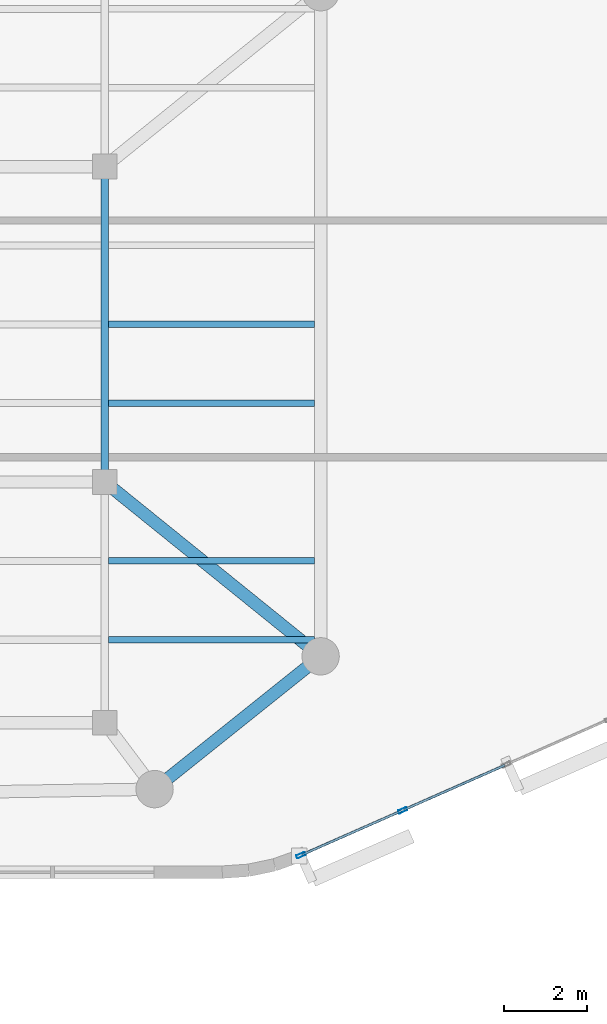
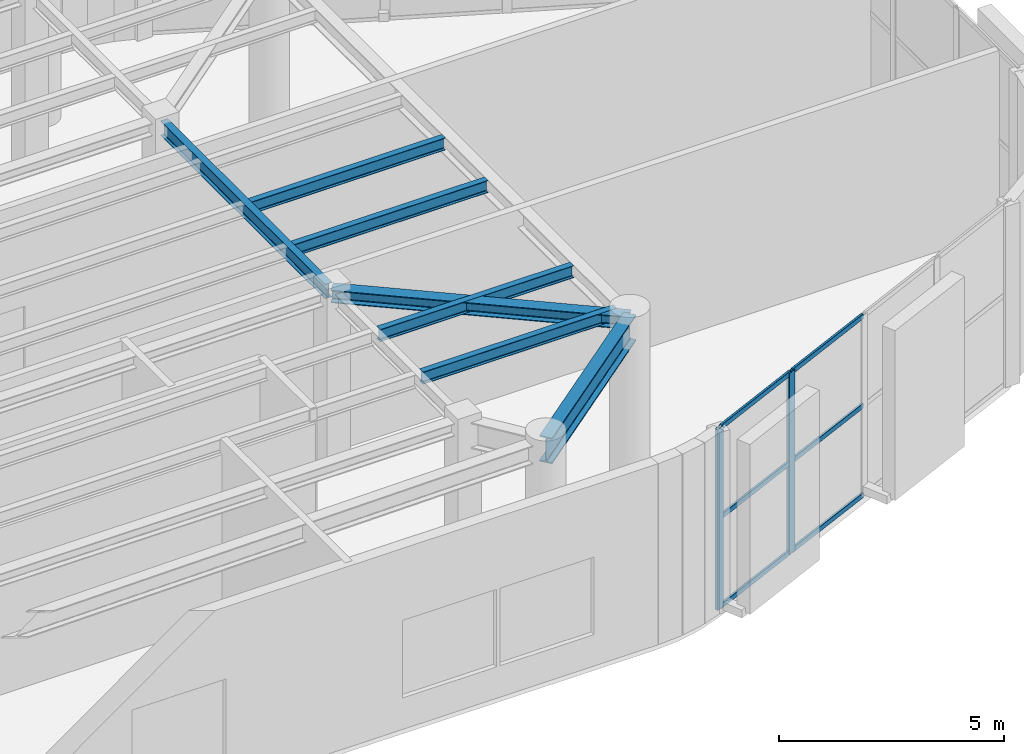
# One storey, part 2 of 12: 8 members, 7 beams, 1 element without a shape of its own.
"""IFC4 building model written with IfcOpenShell, lengths in metres."""

from ifc_helpers import new_model, si_unit, direction, frame, origin, origin_2d, place, context, subcontext, project, spatial, hollow_rectangle, i_section, extrude, material, layer, layer_set, material_profile, profile_set, type_object, element, aggregate, save


model = new_model("IFC4")

# Units and contexts
model_context = context("Model", 3, precision=1e-05, world=origin(), true_north=direction((0.0, 1.0)))
body_context = subcontext(model_context, "Body", "Model", "MODEL_VIEW")
ifc_project = project(units=[si_unit("LENGTHUNIT", "METRE"), si_unit("AREAUNIT", "SQUARE_METRE"), si_unit("VOLUMEUNIT", "CUBIC_METRE"), si_unit("PLANEANGLEUNIT", "RADIAN"), si_unit("MASSUNIT", "GRAM", prefix="KILO")], contexts=[model_context])

# Site, building, storey
site_placement = place(None, origin())
site = spatial("IfcSite", under=ifc_project, at=site_placement, CompositionType="ELEMENT")
building_placement = place(site_placement, origin())
building = spatial("IfcBuilding", under=site, at=building_placement, Name="An Khanh Terracotta Commons", CompositionType="ELEMENT")
storey_placement = place(building_placement, frame((0.0, 0.0, 253.699951171875)))
storey = spatial("IfcBuildingStorey", under=building, at=storey_placement, Name="L66", CompositionType="ELEMENT", Elevation=253.699951171875)

# Beams
ifc_material_1 = material(Name="Steel S355J2", Category="steel")
ifc_material_profile_1 = material_profile(ifc_material_1, i_section(OverallWidth=0.300048828125, OverallDepth=0.340087890625, WebThickness=0.011962890625, FlangeThickness=0.021484375, FilletRadius=0.027099609375, at=origin_2d()), Name="HEB340")
ifc_profile_set_1 = profile_set([ifc_material_profile_1], Name="Steel S355J2")
beam_type_1 = type_object("IfcBeamType", Name="BM-HEB340", PredefinedType="BEAM", material=ifc_profile_set_1)
beam_1_placement = place(storey_placement, frame((63.39990234375, 16.0, 4.72998046875), z_axis=(-0.777941866883, 0.628336256913, 0.0), x_axis=(-0.628336256913, -0.777941866883, 0.0)))
element("IfcBeam", 1, at=beam_1_placement, inside=storey, type_object=beam_type_1, Name="L66 Mega-Column Tie Girder 3", PredefinedType="BEAM", context=body_context, shape_type="SweptSolid", body=[
    extrude(i_section(OverallWidth=0.300048828125, OverallDepth=0.340087890625, WebThickness=0.011962890625, FlangeThickness=0.021484375, FilletRadius=0.027099609375, at=origin_2d()), origin(), (0.0, 0.0, 1.0), 6.684326171875),
])
ifc_material_profile_2 = material_profile(ifc_material_1, i_section(OverallWidth=0.300048828125, OverallDepth=0.699951171875, WebThickness=0.01708984375, FlangeThickness=0.031982421875, FilletRadius=0.027099609375, at=origin_2d()), Name="HEB700")
ifc_profile_set_2 = profile_set([ifc_material_profile_2], Name="Steel S355J2")
beam_type_2 = type_object("IfcBeamType", Name="BM-HEB700", PredefinedType="BEAM", material=ifc_profile_set_2)
beam_2_placement = place(storey_placement, frame((59.39990234375, 12.800048828125, 4.550048828125), z_axis=(0.780873459249, 0.624689235253, 0.0), x_axis=(-0.624689235253, 0.780873459249, 0.0)))
element("IfcBeam", 2, at=beam_2_placement, inside=storey, type_object=beam_type_2, Name="L66 Perimeter Ring Spandrel 2", PredefinedType="BEAM", context=body_context, shape_type="SweptSolid", body=[
    extrude(i_section(OverallWidth=0.300048828125, OverallDepth=0.699951171875, WebThickness=0.01708984375, FlangeThickness=0.031982421875, FilletRadius=0.027099609375, at=origin_2d()), origin(), (0.0, 0.0, 1.0), 5.12255859375),
])
ifc_material_profile_3 = material_profile(ifc_material_1, i_section(OverallWidth=0.159912109375, OverallDepth=0.330078125, WebThickness=0.007568359375, FlangeThickness=0.011474609375, FilletRadius=0.01806640625, at=origin_2d()), Name="IPE330")
ifc_profile_set_3 = profile_set([ifc_material_profile_3], Name="Steel S355J2")
beam_type_3 = type_object("IfcBeamType", Name="BM-IPE330", PredefinedType="JOIST", material=ifc_profile_set_3)
for number, where, z_axis, x_axis, name in (
    (3, (58.2900390625, 16.39990234375, 4.735107421875), (1.0, 0.0, 0.0), (0.0, 1.0, 0.0), "L66 Riverfront Composite Joist 1"),
    (4, (58.2900390625, 18.300048828125, 4.735107421875), (1.0, 0.0, 0.0), (0.0, 1.0, 0.0), "L66 Riverfront Composite Joist 2"),
    (5, (58.2900390625, 22.10009765625, 4.735107421875), (1.0, 0.0, 0.0), (0.0, 1.0, 0.0), "L66 Riverfront Composite Joist 3"),
    (6, (58.2900390625, 24.0, 4.735107421875), (1.0, 0.0, 0.0), (0.0, 1.0, 0.0), "L66 Riverfront Composite Joist 4"),
):
    element("IfcBeam", number, at=place(storey_placement, frame(where, z_axis=z_axis, x_axis=x_axis)), inside=storey, type_object=beam_type_3, Name=name, PredefinedType="JOIST", context=body_context, shape_type="SweptSolid", body=[
        extrude(i_section(OverallWidth=0.159912109375, OverallDepth=0.330078125, WebThickness=0.007568359375, FlangeThickness=0.011474609375, FilletRadius=0.01806640625, at=origin_2d()), origin(), (0.0, 0.0, 1.0), 4.9599609375),
    ])
ifc_material_profile_4 = material_profile(ifc_material_1, i_section(OverallWidth=0.179931640625, OverallDepth=0.39990234375, WebThickness=0.008544921875, FlangeThickness=0.013427734375, FilletRadius=0.02099609375, at=origin_2d()), Name="IPE400")
ifc_profile_set_4 = profile_set([ifc_material_profile_4], Name="Steel S355J2")
beam_type_4 = type_object("IfcBeamType", Name="BM-IPE400", PredefinedType="JOIST", material=ifc_profile_set_4)
beam_3_placement = place(storey_placement, frame((58.199951171875, 20.35009765625, 4.699951171875), z_axis=(0.0, 1.0, 0.0), x_axis=(-1.0, 0.0, 0.0)))
element("IfcBeam", 7, at=beam_3_placement, inside=storey, type_object=beam_type_4, Name="L66 East Spine Girder 2", PredefinedType="JOIST", context=body_context, shape_type="SweptSolid", body=[
    extrude(i_section(OverallWidth=0.179931640625, OverallDepth=0.39990234375, WebThickness=0.008544921875, FlangeThickness=0.013427734375, FilletRadius=0.02099609375, at=origin_2d()), origin(), (0.0, 0.0, 1.0), 7.2998046875),
])

# Curtain wall, members
ifc_material_2 = material(Name="Anodised Aluminium 6063-T6", Category="aluminium")
ifc_layer = layer(ifc_material_2, 0.239990234375, Name="Anodised Aluminium 6063-T6")
ifc_layer_set = layer_set([ifc_layer], Name="Anodised Aluminium 6063-T6")
curtain_wall_type = type_object("IfcCurtainWallType", Name="CW-SYS-04", PredefinedType="USERDEFINED", material=ifc_layer_set)
curtain_wall_placement = place(storey_placement, origin())
curtain_wall = element("IfcCurtainWall", 8, at=curtain_wall_placement, inside=storey, type_object=curtain_wall_type, Name="L66 CW-04 Unitised Curtain Wall CW-L66-08", ObjectType="UNITISED CURTAIN WALL", PredefinedType="USERDEFINED")
ifc_material_profile_5 = material_profile(ifc_material_2, hollow_rectangle(XDim=0.080078125, YDim=0.219970703125, WallThickness=0.0048828125, InnerFilletRadius=0.0048828125, OuterFilletRadius=0.010009765625, at=origin_2d()), Name="RHS220x80x5")
ifc_profile_set_5 = profile_set([ifc_material_profile_5], Name="Anodised Aluminium 6063-T6")
member_type_1 = type_object("IfcMemberType", Name="CWM-RHS220x80x5", PredefinedType="MULLION", material=ifc_profile_set_5)
member_1_placement = place(storey_placement, frame((62.923583984375, 11.20703125, 0.0), z_axis=(0.0, 0.0, 1.0), x_axis=(-0.403676354285, 0.914901853201, 0.0)))
member_1 = element("IfcMember", 9, at=member_1_placement, type_object=member_type_1, Name="CW-04 mullion 1", PredefinedType="MULLION", context=body_context, shape_type="SweptSolid", body=[
    extrude(hollow_rectangle(XDim=0.080078125, YDim=0.219970703125, WallThickness=0.0048828125, InnerFilletRadius=0.0048828125, OuterFilletRadius=0.010009765625, at=origin_2d()), origin(), (0.0, 0.0, 1.0), 4.900146484375),
])
member_2_placement = place(storey_placement, frame((65.37939453125, 12.290771484375, 0.0), z_axis=(0.0, 0.0, 1.0), x_axis=(-0.403676354285, 0.914901853201, 0.0)))
member_2 = element("IfcMember", 10, at=member_2_placement, type_object=member_type_1, Name="CW-04 mullion 2", PredefinedType="MULLION", context=body_context, shape_type="SweptSolid", body=[
    extrude(hollow_rectangle(XDim=0.080078125, YDim=0.219970703125, WallThickness=0.0048828125, InnerFilletRadius=0.0048828125, OuterFilletRadius=0.010009765625, at=origin_2d()), origin(), (0.0, 0.0, 1.0), 4.900146484375),
])
ifc_material_profile_6 = material_profile(ifc_material_2, hollow_rectangle(XDim=0.06005859375, YDim=0.135009765625, WallThickness=0.003662109375, InnerFilletRadius=0.003662109375, OuterFilletRadius=0.007080078125, at=origin_2d()), Name="RHS135x60x3.6")
ifc_profile_set_6 = profile_set([ifc_material_profile_6], Name="Anodised Aluminium 6063-T6")
member_type_2 = type_object("IfcMemberType", Name="CWT-RHS135x60x3.6", PredefinedType="USERDEFINED", material=ifc_profile_set_6)
member_3_placement = place(storey_placement, frame((62.960205078125, 11.223388671875, 0.030029296875), z_axis=(0.914913728775, 0.403649438126, 0.0), x_axis=(-0.403649438126, 0.914913728775, 0.0)))
member_3 = element("IfcMember", 11, at=member_3_placement, type_object=member_type_2, Name="CW-04 transom 1.1", ObjectType="TRANSOM", PredefinedType="USERDEFINED", context=body_context, shape_type="SweptSolid", body=[
    extrude(hollow_rectangle(XDim=0.06005859375, YDim=0.135009765625, WallThickness=0.003662109375, InnerFilletRadius=0.003662109375, OuterFilletRadius=0.007080078125, at=origin_2d()), origin(), (0.0, 0.0, 1.0), 2.6044921875),
])
member_4_placement = place(storey_placement, frame((62.960205078125, 11.223388671875, 2.449951171875), z_axis=(0.914913728775, 0.403649438126, 0.0), x_axis=(-0.403649438126, 0.914913728775, 0.0)))
member_4 = element("IfcMember", 12, at=member_4_placement, type_object=member_type_2, Name="CW-04 transom 1.2", ObjectType="TRANSOM", PredefinedType="USERDEFINED", context=body_context, shape_type="SweptSolid", body=[
    extrude(hollow_rectangle(XDim=0.06005859375, YDim=0.135009765625, WallThickness=0.003662109375, InnerFilletRadius=0.003662109375, OuterFilletRadius=0.007080078125, at=origin_2d()), origin(), (0.0, 0.0, 1.0), 2.6044921875),
])
member_5_placement = place(storey_placement, frame((62.960205078125, 11.223388671875, 4.8701171875), z_axis=(0.914913728775, 0.403649438126, 0.0), x_axis=(-0.403649438126, 0.914913728775, 0.0)))
member_5 = element("IfcMember", 13, at=member_5_placement, type_object=member_type_2, Name="CW-04 transom 1.3", ObjectType="TRANSOM", PredefinedType="USERDEFINED", context=body_context, shape_type="SweptSolid", body=[
    extrude(hollow_rectangle(XDim=0.06005859375, YDim=0.135009765625, WallThickness=0.003662109375, InnerFilletRadius=0.003662109375, OuterFilletRadius=0.007080078125, at=origin_2d()), origin(), (0.0, 0.0, 1.0), 2.6044921875),
])
member_6_placement = place(storey_placement, frame((65.416015625, 12.306884765625, 0.030029296875), z_axis=(0.914919807128, 0.403635660622, 0.0), x_axis=(-0.403635660622, 0.914919807128, 0.0)))
member_6 = element("IfcMember", 14, at=member_6_placement, type_object=member_type_2, Name="CW-04 transom 2.1", ObjectType="TRANSOM", PredefinedType="USERDEFINED", context=body_context, shape_type="SweptSolid", body=[
    extrude(hollow_rectangle(XDim=0.06005859375, YDim=0.135009765625, WallThickness=0.003662109375, InnerFilletRadius=0.003662109375, OuterFilletRadius=0.007080078125, at=origin_2d()), origin(), (0.0, 0.0, 1.0), 2.64453125),
])
member_7_placement = place(storey_placement, frame((65.416015625, 12.306884765625, 2.449951171875), z_axis=(0.914919807128, 0.403635660622, 0.0), x_axis=(-0.403635660622, 0.914919807128, 0.0)))
member_7 = element("IfcMember", 15, at=member_7_placement, type_object=member_type_2, Name="CW-04 transom 2.2", ObjectType="TRANSOM", PredefinedType="USERDEFINED", context=body_context, shape_type="SweptSolid", body=[
    extrude(hollow_rectangle(XDim=0.06005859375, YDim=0.135009765625, WallThickness=0.003662109375, InnerFilletRadius=0.003662109375, OuterFilletRadius=0.007080078125, at=origin_2d()), origin(), (0.0, 0.0, 1.0), 2.64453125),
])
member_8_placement = place(storey_placement, frame((65.416015625, 12.306884765625, 4.8701171875), z_axis=(0.914919807128, 0.403635660622, 0.0), x_axis=(-0.403635660622, 0.914919807128, 0.0)))
member_8 = element("IfcMember", 16, at=member_8_placement, type_object=member_type_2, Name="CW-04 transom 2.3", ObjectType="TRANSOM", PredefinedType="USERDEFINED", context=body_context, shape_type="SweptSolid", body=[
    extrude(hollow_rectangle(XDim=0.06005859375, YDim=0.135009765625, WallThickness=0.003662109375, InnerFilletRadius=0.003662109375, OuterFilletRadius=0.007080078125, at=origin_2d()), origin(), (0.0, 0.0, 1.0), 2.64453125),
])
aggregate(curtain_wall, [member_1, member_2, member_3, member_4, member_5, member_6, member_7, member_8])

save(model, "model.ifc")
